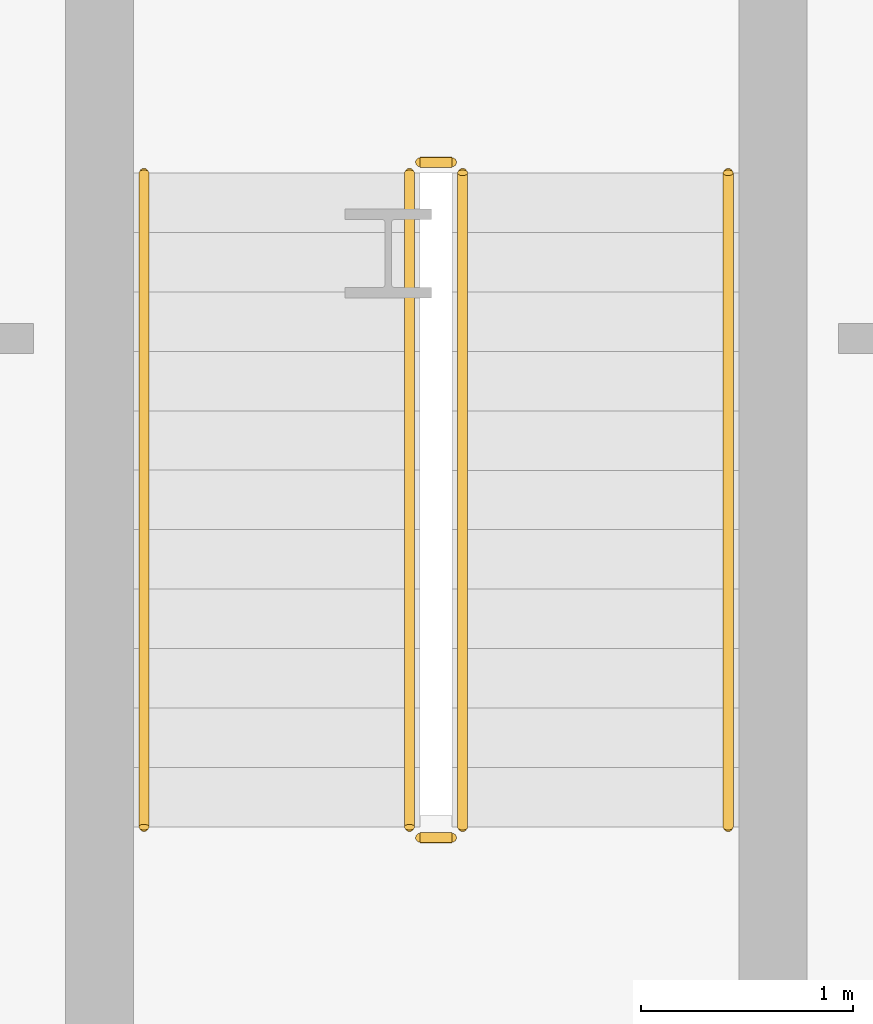
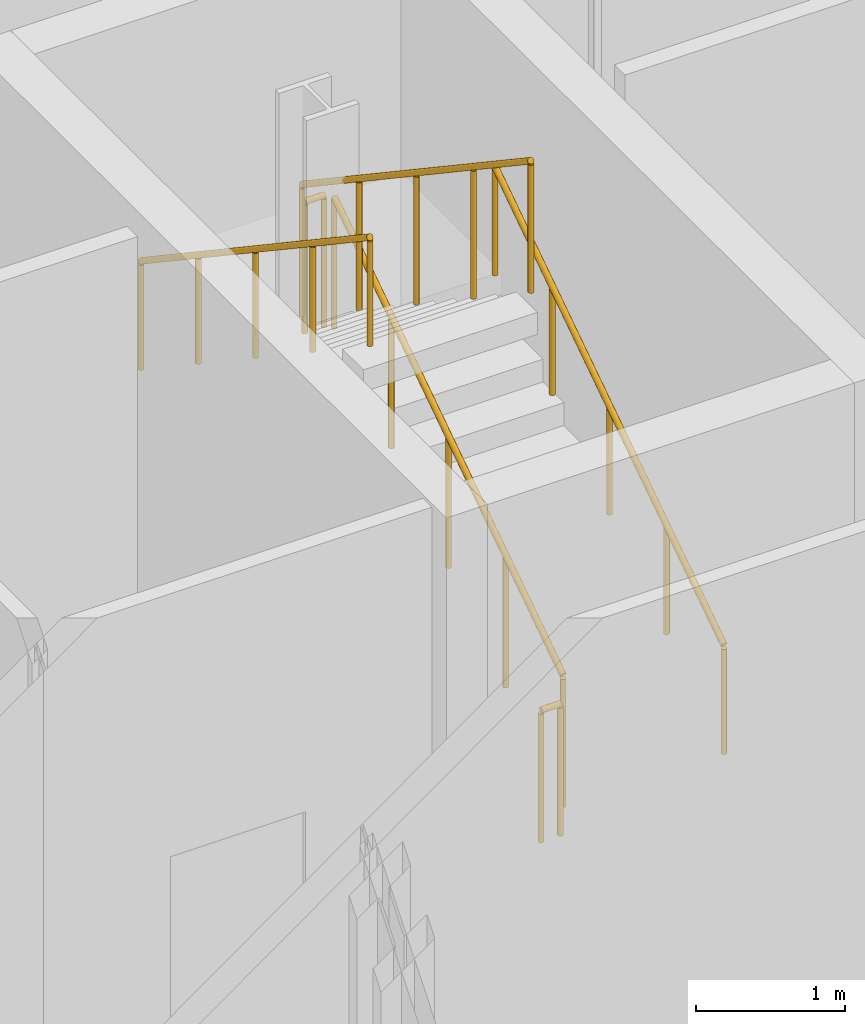
# One storey, part 25 of 25: 6 railings.
"""IFC4 building model written with IfcOpenShell, lengths in metres."""

import ifcopenshell
import ifcopenshell.guid

model = None  # the IFC model being written
_history = None  # IfcOwnerHistory: only IFC2X3 demands one
_inside = {}  # id of a spatial element -> (the spatial element, [elements in it])
_under = {}  # id of a project, library or spatial element -> (it, [spatial elements below it])
_declared = {}  # id of a project -> (the project, [libraries it declares])
_typed = {}  # id of a type object -> (the type object, [elements of that type])
_made_of = {}  # id of a material, layer set ... -> (it, [elements and type objects made of it])


def new_model(schema):
    """Start an empty IFC model of exactly this schema.

    Asked for "IFC4X3", IfcOpenShell would pick the latest addendum, in which some entities
    have other attributes; the version numbers below select the first issue.
    IFC2X3 requires an IfcOwnerHistory on every rooted entity: one is made here for all.
    """
    global model, _history
    if schema == "IFC4X3":
        model = ifcopenshell.file(schema_version=(4, 3, 0, 0))
    else:
        model = ifcopenshell.file(schema=schema)
    _inside.clear()
    _under.clear()
    _declared.clear()
    _typed.clear()
    _made_of.clear()
    _history = None
    if model.schema == "IFC2X3":
        org = make("IfcOrganization", Name="unknown")
        user = make(
            "IfcPersonAndOrganization",
            ThePerson=make("IfcPerson", FamilyName="unknown"),
            TheOrganization=org,
        )
        app = make(
            "IfcApplication",
            ApplicationDeveloper=org,
            Version="unknown",
            ApplicationFullName="unknown",
            ApplicationIdentifier="unknown",
        )
        _history = make(
            "IfcOwnerHistory",
            OwningUser=user,
            OwningApplication=app,
            ChangeAction="ADDED",
            CreationDate=0,
        )
    return model


def make(cls, **values):
    """One entity of the class cls with the attributes given. An attribute that is None is left unset."""
    return model.create_entity(
        cls, **{name: value for name, value in values.items() if value is not None}
    )


def rooted(cls, **values):
    """An entity with a GlobalId (a new one), such as an element, a storey or a relation."""
    return make(cls, GlobalId=ifcopenshell.guid.new(), OwnerHistory=_history, **values)


def si_unit(unit_type, name, prefix=None):
    """IfcSIUnit, for example si_unit("LENGTHUNIT", "METRE", prefix="MILLI")."""
    return make("IfcSIUnit", UnitType=unit_type, Prefix=prefix, Name=name)


def assignment(units):
    """IfcUnitAssignment: the units of a project."""
    return None if units is None else make("IfcUnitAssignment", Units=units)


def point(xyz):
    """IfcCartesianPoint."""
    return None if xyz is None else make("IfcCartesianPoint", Coordinates=xyz)


def direction(xyz):
    """IfcDirection."""
    return None if xyz is None else make("IfcDirection", DirectionRatios=xyz)


def frame(location, z_axis=None, x_axis=None):
    """IfcAxis2Placement3D, a coordinate frame: its origin and axes. An axis left out is left unset."""
    return make(
        "IfcAxis2Placement3D",
        Location=point(location),
        Axis=direction(z_axis),
        RefDirection=direction(x_axis),
    )


def frame_2d(location, x_axis=None):
    """IfcAxis2Placement2D, a coordinate frame in the plane: its origin and x axis."""
    return make(
        "IfcAxis2Placement2D", Location=point(location), RefDirection=direction(x_axis)
    )


def origin():
    """The frame at (0, 0, 0) with its axes left unset."""
    return frame((0.0, 0.0, 0.0))


def origin_2d():
    """The frame at (0, 0) in the plane with its x axis left unset."""
    return frame_2d((0.0, 0.0))


def place(relative_to, where):
    """IfcLocalPlacement: puts the frame where relative to a parent placement (None: the world)."""
    return make(
        "IfcLocalPlacement", PlacementRelTo=relative_to, RelativePlacement=where
    )


def context(
    kind, dimensions, precision=None, world=None, true_north=None, identifier=None
):
    """IfcGeometricRepresentationContext, for example the 3D "Model" context."""
    return make(
        "IfcGeometricRepresentationContext",
        ContextIdentifier=identifier,
        ContextType=kind,
        CoordinateSpaceDimension=dimensions,
        Precision=precision,
        WorldCoordinateSystem=world,
        TrueNorth=true_north,
    )


def subcontext(parent, identifier, kind, view, scale=None):
    """IfcGeometricRepresentationSubContext, for example "Body" below "Model"."""
    return make(
        "IfcGeometricRepresentationSubContext",
        ContextIdentifier=identifier,
        ContextType=kind,
        ParentContext=parent,
        TargetScale=scale,
        TargetView=view,
    )


def project(units=None, contexts=None):
    """IfcProject with its units and contexts."""
    return rooted(
        "IfcProject",
        Name="project",
        RepresentationContexts=contexts,
        UnitsInContext=assignment(units),
    )


def spatial(cls, under=None, at=None, **own):
    """A site, building, storey or space (cls), placed at a placement, below another one or the project."""
    s = rooted(cls, ObjectPlacement=at, **own)
    if under is not None:
        _under.setdefault(under.id(), (under, []))[1].append(s)
    return s


def profile(cls, at=None, kind="AREA", **sizes):
    """A parametric profile (cls). Its sizes go by their IFC names, for example OverallWidth=200.0."""
    return make(cls, ProfileType=kind, Position=at, **sizes)


def circle(**sizes):
    """IfcCircleProfileDef."""
    return profile("IfcCircleProfileDef", **sizes)


def extrude(swept, where, along, depth):
    """IfcExtrudedAreaSolid: the profile swept, set in the frame where, extruded along a direction by depth."""
    return make(
        "IfcExtrudedAreaSolid",
        SweptArea=swept,
        Position=where,
        ExtrudedDirection=direction(along),
        Depth=depth,
    )


def shape(context_of_items, identifier, shape_type, items):
    """IfcShapeRepresentation: the items that make up one representation, for example the "Body"."""
    return make(
        "IfcShapeRepresentation",
        ContextOfItems=context_of_items,
        RepresentationIdentifier=identifier,
        RepresentationType=shape_type,
        Items=items,
    )


def material(Name=None, Category=None):
    """IfcMaterial."""
    return make("IfcMaterial", Name=Name, Category=Category)


def made_of(thing, what):
    """Note that an element or type object is made of a material, layer set ...; save() writes the relation."""
    if what is not None:
        _made_of.setdefault(what.id(), (what, []))[1].append(thing)
    return thing


def type_object(cls, material=None, **own):
    """A type object (cls), such as IfcWallType, which elements share."""
    return made_of(rooted(cls, **own), material)


def element(
    cls,
    number,
    at=None,
    inside=None,
    cuts=None,
    type_object=None,
    material=None,
    context=None,
    identifier="Body",
    shape_type=None,
    held_by="IfcProductDefinitionShape",
    body=None,
    shapes=None,
    **own,
):
    """One element of the class cls, such as IfcWall. Its Tag is "e" and its number.

    at: its placement. inside: the storey or other place that contains it. cuts: it is an
    opening in that element (IfcRelVoidsElement). A single representation is given by context,
    identifier, shape_type and body (its items); several are given by shapes. held_by: the class
    of the entity that holds the representations. save() writes the other relations.
    """
    e = rooted(cls, Tag="e%d" % number, ObjectPlacement=at, **own)
    if body is not None:
        shapes = [shape(context, identifier, shape_type, body)]
    if shapes is not None:
        e.Representation = make(held_by, Representations=shapes)
    if inside is not None:
        _inside.setdefault(inside.id(), (inside, []))[1].append(e)
    if cuts is not None:
        rooted(
            "IfcRelVoidsElement", RelatingBuildingElement=cuts, RelatedOpeningElement=e
        )
    if type_object is not None:
        _typed.setdefault(type_object.id(), (type_object, []))[1].append(e)
    return made_of(e, material)


def aggregate(whole, parts):
    """IfcRelAggregates: a whole, such as a stair, and the parts it consists of."""
    return rooted("IfcRelAggregates", RelatingObject=whole, RelatedObjects=parts)


def save(model, path):
    """Write the relations noted so far, then the file.

    IfcRelAggregates (storeys below a building ...), IfcRelContainedInSpatialStructure (elements
    in a storey), IfcRelDefinesByType, IfcRelAssociatesMaterial and IfcRelDeclares: one each for
    every whole, place, type object, material and project.
    """
    for whole, parts in _under.values():
        aggregate(whole, parts)
    for where, things in _inside.values():
        rooted(
            "IfcRelContainedInSpatialStructure",
            RelatedElements=things,
            RelatingStructure=where,
        )
    for kind, things in _typed.values():
        rooted("IfcRelDefinesByType", RelatedObjects=things, RelatingType=kind)
    for what, things in _made_of.values():
        rooted("IfcRelAssociatesMaterial", RelatedObjects=things, RelatingMaterial=what)
    for by, libraries in _declared.values():
        rooted("IfcRelDeclares", RelatingContext=by, RelatedDefinitions=libraries)
    model.write(path)


model = new_model("IFC4")

# Units and contexts
model_context = context("Model", 3, precision=1e-05, world=origin(), true_north=direction((0.0, 1.0)))
body_context = subcontext(model_context, "Body", "Model", "MODEL_VIEW")
ifc_project = project(units=[si_unit("LENGTHUNIT", "METRE"), si_unit("AREAUNIT", "SQUARE_METRE"), si_unit("VOLUMEUNIT", "CUBIC_METRE"), si_unit("PLANEANGLEUNIT", "RADIAN"), si_unit("MASSUNIT", "GRAM", prefix="KILO")], contexts=[model_context])

# Site, building, storey
site_placement = place(None, origin())
site = spatial("IfcSite", under=ifc_project, at=site_placement, CompositionType="ELEMENT")
building_placement = place(site_placement, origin())
building = spatial("IfcBuilding", under=site, at=building_placement, Name="Brevholm Reach", CompositionType="ELEMENT")
storey_placement = place(building_placement, frame((0.0, 0.0, 13.5)))
storey = spatial("IfcBuildingStorey", under=building, at=storey_placement, Name="L03", CompositionType="ELEMENT", Elevation=13.5)

# Railings
ifc_material_1 = material(Name="Brushed Stainless Steel EN 1.4401 Continuous Handrail", Category="steel")
railing_type_1 = type_object("IfcRailingType", Name="RAL-HND-950", PredefinedType="HANDRAIL", material=ifc_material_1)
railing_1_placement = place(storey_placement, frame((58.60009765625, 34.5, 0.1875)))
element("IfcRailing", 1, at=railing_1_placement, inside=storey, type_object=railing_type_1, Name="L03 ST-S4 stair handrail 1", PredefinedType="HANDRAIL", context=body_context, shape_type="SweptSolid", body=[
    extrude(circle(Radius=0.02392578125, at=origin_2d()), frame((0.0, 0.0, 0.8857421875), z_axis=(0.0, 0.830913701846, 0.55640131208), x_axis=(-1.0, 0.0, 0.0)), (0.0, 0.0, 1.0), 3.706787109375),
    extrude(circle(Radius=0.02099609375, at=origin_2d()), origin(), (0.0, 0.0, 1.0), 0.86181640625),
    extrude(circle(Radius=0.02099609375, at=origin_2d()), frame((0.0, 0.77001953125, 0.515625)), (0.0, 0.0, 1.0), 0.86181640625),
    extrude(circle(Radius=0.02099609375, at=origin_2d()), frame((0.0, 1.5400390625, 1.03125)), (0.0, 0.0, 1.0), 0.86181640625),
    extrude(circle(Radius=0.02099609375, at=origin_2d()), frame((0.0, 2.31005859375, 1.546875)), (0.0, 0.0, 1.0), 0.86181640625),
    extrude(circle(Radius=0.02099609375, at=origin_2d()), frame((0.0, 3.080078125, 2.0625)), (0.0, 0.0, 1.0), 0.86181640625),
])
railing_2_placement = place(storey_placement, frame((55.85009765625, 37.580078125, 2.4375)))
element("IfcRailing", 2, at=railing_2_placement, inside=storey, type_object=railing_type_1, Name="L03 ST-S4 stair handrail 2", PredefinedType="HANDRAIL", context=body_context, shape_type="SweptSolid", body=[
    extrude(circle(Radius=0.02392578125, at=origin_2d()), frame((0.0, 0.0, 0.8857421875), z_axis=(0.0, -0.830913701846, 0.55640131208), x_axis=(1.0, 0.0, 0.0)), (0.0, 0.0, 1.0), 3.706787109375),
    extrude(circle(Radius=0.02099609375, at=origin_2d()), origin(), (0.0, 0.0, 1.0), 0.86181640625),
    extrude(circle(Radius=0.02099609375, at=origin_2d()), frame((0.0, -0.77001953125, 0.515625)), (0.0, 0.0, 1.0), 0.86181640625),
    extrude(circle(Radius=0.02099609375, at=origin_2d()), frame((0.0, -1.5400390625, 1.03125)), (0.0, 0.0, 1.0), 0.86181640625),
    extrude(circle(Radius=0.02099609375, at=origin_2d()), frame((0.0, -2.31005859375, 1.546875)), (0.0, 0.0, 1.0), 0.86181640625),
    extrude(circle(Radius=0.02099609375, at=origin_2d()), frame((0.0, -3.080078125, 2.0625)), (0.0, 0.0, 1.0), 0.86181640625),
])
ifc_material_2 = material(Name="Painted Tubular Galvanised Steel S275JR Stair Guard", Category="steel")
railing_type_2 = type_object("IfcRailingType", Name="RAL-STG-1120", PredefinedType="BALUSTRADE", material=ifc_material_2)
railing_3_placement = place(storey_placement, frame((57.35009765625, 34.5, 0.1875)))
element("IfcRailing", 3, at=railing_3_placement, inside=storey, type_object=railing_type_2, Name="L03 ST-S4 stair guard 1", PredefinedType="BALUSTRADE", context=body_context, shape_type="SweptSolid", body=[
    extrude(circle(Radius=0.02392578125, at=origin_2d()), frame((0.0, 0.0, 1.076171875), z_axis=(0.0, 0.830913701846, 0.55640131208), x_axis=(-1.0, 0.0, 0.0)), (0.0, 0.0, 1.0), 3.706787109375),
    extrude(circle(Radius=0.02099609375, at=origin_2d()), origin(), (0.0, 0.0, 1.0), 1.052001953125),
    extrude(circle(Radius=0.02099609375, at=origin_2d()), frame((0.0, 0.77001953125, 0.515625)), (0.0, 0.0, 1.0), 1.052001953125),
    extrude(circle(Radius=0.02099609375, at=origin_2d()), frame((0.0, 1.5400390625, 1.03125)), (0.0, 0.0, 1.0), 1.052001953125),
    extrude(circle(Radius=0.02099609375, at=origin_2d()), frame((0.0, 2.31005859375, 1.546875)), (0.0, 0.0, 1.0), 1.052001953125),
    extrude(circle(Radius=0.02099609375, at=origin_2d()), frame((0.0, 3.080078125, 2.0625)), (0.0, 0.0, 1.0), 1.052001953125),
])
railing_4_placement = place(storey_placement, frame((57.300048828125, 37.6298828125, 2.25)))
element("IfcRailing", 4, at=railing_4_placement, inside=storey, type_object=railing_type_2, Name="L03 ST-S4 stair guard 2", PredefinedType="BALUSTRADE", context=body_context, shape_type="SweptSolid", body=[
    extrude(circle(Radius=0.02392578125, at=origin_2d()), frame((0.0, 0.0, 1.076171875), z_axis=(-1.0, 0.0, 0.0), x_axis=(0.0, -1.0, 0.0)), (0.0, 0.0, 1.0), 0.150146484375),
    extrude(circle(Radius=0.02099609375, at=origin_2d()), origin(), (0.0, 0.0, 1.0), 1.052001953125),
    extrude(circle(Radius=0.02099609375, at=origin_2d()), frame((-0.150146484375, 0.0, 0.0)), (0.0, 0.0, 1.0), 1.052001953125),
])
railing_5_placement = place(storey_placement, frame((57.10009765625, 37.580078125, 2.4375)))
element("IfcRailing", 5, at=railing_5_placement, inside=storey, type_object=railing_type_2, Name="L03 ST-S4 stair guard 3", PredefinedType="BALUSTRADE", context=body_context, shape_type="SweptSolid", body=[
    extrude(circle(Radius=0.02392578125, at=origin_2d()), frame((0.0, 0.0, 1.076171875), z_axis=(0.0, -0.830913701846, 0.55640131208), x_axis=(1.0, 0.0, 0.0)), (0.0, 0.0, 1.0), 3.706787109375),
    extrude(circle(Radius=0.02099609375, at=origin_2d()), origin(), (0.0, 0.0, 1.0), 1.052001953125),
    extrude(circle(Radius=0.02099609375, at=origin_2d()), frame((0.0, -0.77001953125, 0.515625)), (0.0, 0.0, 1.0), 1.052001953125),
    extrude(circle(Radius=0.02099609375, at=origin_2d()), frame((0.0, -1.5400390625, 1.03125)), (0.0, 0.0, 1.0), 1.052001953125),
    extrude(circle(Radius=0.02099609375, at=origin_2d()), frame((0.0, -2.31005859375, 1.546875)), (0.0, 0.0, 1.0), 1.052001953125),
    extrude(circle(Radius=0.02099609375, at=origin_2d()), frame((0.0, -3.080078125, 2.0625)), (0.0, 0.0, 1.0), 1.052001953125),
])
railing_6_placement = place(storey_placement, frame((57.300048828125, 34.449951171875, 0.0)))
element("IfcRailing", 6, at=railing_6_placement, inside=storey, type_object=railing_type_2, Name="L03 ST-S4 stair guard 4", PredefinedType="BALUSTRADE", context=body_context, shape_type="SweptSolid", body=[
    extrude(circle(Radius=0.02392578125, at=origin_2d()), frame((0.0, 0.0, 1.076171875), z_axis=(-1.0, 0.0, 0.0), x_axis=(0.0, -1.0, 0.0)), (0.0, 0.0, 1.0), 0.150146484375),
    extrude(circle(Radius=0.02099609375, at=origin_2d()), origin(), (0.0, 0.0, 1.0), 1.052001953125),
    extrude(circle(Radius=0.02099609375, at=origin_2d()), frame((-0.150146484375, 0.0, 0.0)), (0.0, 0.0, 1.0), 1.052001953125),
])

save(model, "model.ifc")
